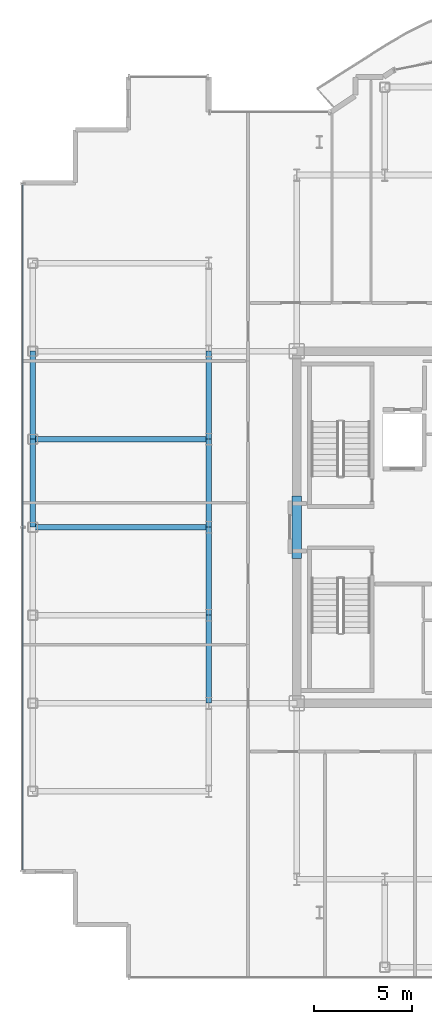
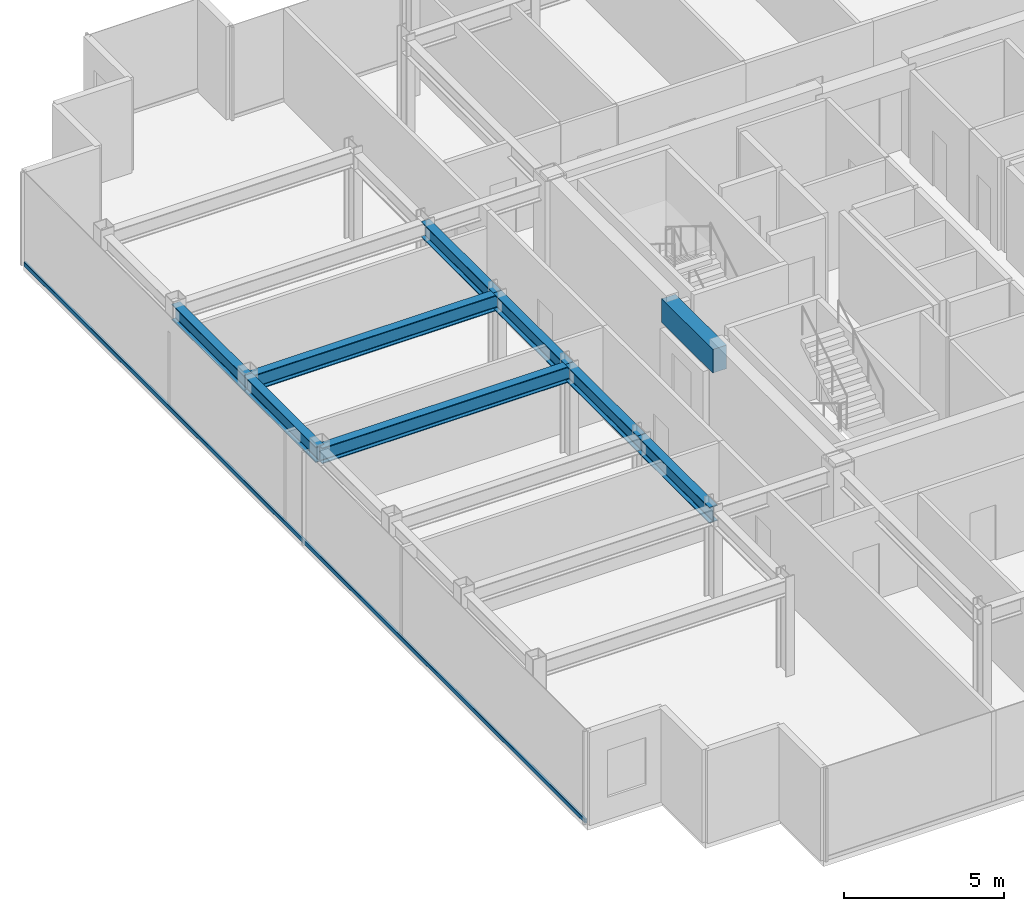
# One storey, part 5 of 18: 9 beams, 1 member, 1 element without a shape of its own.
"""IFC4 building model written with IfcOpenShell, lengths in metres."""

from ifc_helpers import new_model, si_unit, direction, frame, origin, origin_2d, place, context, subcontext, project, spatial, rectangle, hollow_rectangle, i_section, extrude, source, transform, mapped, material, layer, layer_set, material_profile, profile_set, type_object, element, aggregate, save


model = new_model("IFC4")

# Units and contexts
model_context = context("Model", 3, precision=1e-05, world=origin(), true_north=direction((0.0, 1.0)))
body_context = subcontext(model_context, "Body", "Model", "MODEL_VIEW")
ifc_project = project(units=[si_unit("LENGTHUNIT", "METRE"), si_unit("AREAUNIT", "SQUARE_METRE"), si_unit("VOLUMEUNIT", "CUBIC_METRE"), si_unit("PLANEANGLEUNIT", "RADIAN"), si_unit("MASSUNIT", "GRAM", prefix="KILO")], contexts=[model_context])

# Site, building, storey
site_placement = place(None, origin())
site = spatial("IfcSite", under=ifc_project, at=site_placement, CompositionType="ELEMENT")
building_placement = place(site_placement, origin())
building = spatial("IfcBuilding", under=site, at=building_placement, Name="Nefas-Gora Pilgrimage Tower", CompositionType="ELEMENT")
storey_placement = place(building_placement, frame((0.0, 0.0, 295.0)))
storey = spatial("IfcBuildingStorey", under=building, at=storey_placement, Name="L74", CompositionType="ELEMENT", Elevation=295.0)

# Beams
ifc_material_1 = material(Name="Concrete C50/60", Category="concrete")
ifc_material_profile_1 = material_profile(ifc_material_1, rectangle(XDim=0.5, YDim=0.89990234375, at=origin_2d()), Name="RC 500x900")
ifc_profile_set_1 = profile_set([ifc_material_profile_1], Name="Concrete C50/60")
beam_type_1 = type_object("IfcBeamType", Name="BM-LIN-RC900", PredefinedType="LINTEL", material=ifc_profile_set_1)
shared_shape_1 = source(origin(), body_context, "Body", "SweptSolid", [
    extrude(rectangle(XDim=0.5, YDim=0.89990234375, at=origin_2d()), origin(), (0.0, 0.0, 1.0), 3.2001953125),
])
beam_placement = place(storey_placement, frame((-11.25, -1.60009765625, 3.10009765625), z_axis=(0.0, 1.0, 0.0), x_axis=(-1.0, 0.0, 0.0)))
element("IfcBeam", 1, at=beam_placement, inside=storey, type_object=beam_type_1, Name="L74 Core Coupling Lintel Beam W", PredefinedType="LINTEL", context=body_context, shape_type="MappedRepresentation", body=[
    mapped(shared_shape_1, transform((0.0, 0.0, 0.0), x_axis=(1.0, 0.0, 0.0), y_axis=(0.0, 1.0, 0.0), z_axis=(0.0, 0.0, 1.0), scale=1.0)),
])
ifc_material_2 = material(Name="Steel S355", Category="steel")
ifc_material_profile_2 = material_profile(ifc_material_2, i_section(OverallWidth=0.300048828125, OverallDepth=0.60009765625, WebThickness=0.015380859375, FlangeThickness=0.030029296875, FilletRadius=0.027099609375, at=origin_2d()), Name="HEB 600")
ifc_profile_set_2 = profile_set([ifc_material_profile_2], Name="Steel S355")
beam_type_2 = type_object("IfcBeamType", Name="BM-SPN-HEB450", PredefinedType="SPANDREL", material=ifc_profile_set_2)
shared_shape_2 = source(origin(), body_context, "Body", "SweptSolid", [
    extrude(i_section(OverallWidth=0.300048828125, OverallDepth=0.60009765625, WebThickness=0.015380859375, FlangeThickness=0.030029296875, FilletRadius=0.027099609375, at=origin_2d()), origin(), (0.0, 0.0, 1.0), 4.5),
])
for number, where, z_axis, x_axis, name in (
    (2, (-24.75, 0.0, 3.25), (0.0, 1.0, 0.0), (-1.0, 0.0, 0.0), "L74 SP-03 beam"),
    (3, (-24.75, 4.5, 3.25), (0.0, 1.0, 0.0), (-1.0, 0.0, 0.0), "L74 SP-03 beam"),
):
    element("IfcBeam", number, at=place(storey_placement, frame(where, z_axis=z_axis, x_axis=x_axis)), inside=storey, type_object=beam_type_2, Name=name, PredefinedType="SPANDREL", context=body_context, shape_type="MappedRepresentation", body=[
        mapped(shared_shape_2, transform((0.0, 0.0, 0.0), x_axis=(1.0, 0.0, 0.0), y_axis=(0.0, 1.0, 0.0), z_axis=(0.0, 0.0, 1.0), scale=1.0)),
    ])
ifc_material_profile_3 = material_profile(ifc_material_2, i_section(OverallWidth=0.300048828125, OverallDepth=0.60009765625, WebThickness=0.015380859375, FlangeThickness=0.030029296875, FilletRadius=0.027099609375, at=origin_2d()), Name="HEB 600")
ifc_profile_set_3 = profile_set([ifc_material_profile_3], Name="Steel S355")
beam_type_3 = type_object("IfcBeamType", Name="BM-GIR-HEB600", PredefinedType="BEAM", material=ifc_profile_set_3)
shared_shape_3 = source(origin(), body_context, "Body", "SweptSolid", [
    extrude(i_section(OverallWidth=0.300048828125, OverallDepth=0.60009765625, WebThickness=0.015380859375, FlangeThickness=0.030029296875, FilletRadius=0.027099609375, at=origin_2d()), origin(), (0.0, 0.0, 1.0), 9.0),
])
for number, where, z_axis, x_axis, name in (
    (4, (-24.75, 0.0, 3.25), (1.0, 0.0, 0.0), (0.0, 1.0, 0.0), "L74 G-04 beam"),
    (5, (-24.75, 4.5, 3.25), (1.0, 0.0, 0.0), (0.0, 1.0, 0.0), "L74 G-04 beam"),
):
    element("IfcBeam", number, at=place(storey_placement, frame(where, z_axis=z_axis, x_axis=x_axis)), inside=storey, type_object=beam_type_3, Name=name, PredefinedType="BEAM", context=body_context, shape_type="MappedRepresentation", body=[
        mapped(shared_shape_3, transform((0.0, 0.0, 0.0), x_axis=(1.0, 0.0, 0.0), y_axis=(0.0, 1.0, 0.0), z_axis=(0.0, 0.0, 1.0), scale=1.0)),
    ])
shared_shape_4 = source(origin(), body_context, "Body", "SweptSolid", [
    extrude(i_section(OverallWidth=0.300048828125, OverallDepth=0.60009765625, WebThickness=0.015380859375, FlangeThickness=0.030029296875, FilletRadius=0.027099609375, at=origin_2d()), origin(), (0.0, 0.0, 1.0), 4.5),
])
for number, where, z_axis, x_axis, name in (
    (6, (-15.75, -9.0, 3.25), (0.0, 1.0, 0.0), (-1.0, 0.0, 0.0), "L74 G-04 beam"),
    (7, (-15.75, -4.5, 3.25), (0.0, 1.0, 0.0), (-1.0, 0.0, 0.0), "L74 G-04 beam"),
    (8, (-15.75, 0.0, 3.25), (0.0, 1.0, 0.0), (-1.0, 0.0, 0.0), "L74 G-04 beam"),
    (9, (-15.75, 4.5, 3.25), (0.0, 1.0, 0.0), (-1.0, 0.0, 0.0), "L74 G-04 beam"),
):
    element("IfcBeam", number, at=place(storey_placement, frame(where, z_axis=z_axis, x_axis=x_axis)), inside=storey, type_object=beam_type_3, Name=name, PredefinedType="BEAM", context=body_context, shape_type="MappedRepresentation", body=[
        mapped(shared_shape_4, transform((0.0, 0.0, 0.0), x_axis=(1.0, 0.0, 0.0), y_axis=(0.0, 1.0, 0.0), z_axis=(0.0, 0.0, 1.0), scale=1.0)),
    ])

# Curtain wall, member
ifc_material_3 = material(Name="Dark ceramic-fritted solar-control aluminium-glass curtain wall", Category="aluminium")
ifc_layer = layer(ifc_material_3, 0.219970703125)
ifc_layer_set = layer_set([ifc_layer], Name="Dark ceramic-fritted solar-control aluminium-glass curtain wall")
curtain_wall_type = type_object("IfcCurtainWallType", Name="CW-SYS-4", PredefinedType="NOTDEFINED", material=ifc_layer_set)
curtain_wall_placement = place(storey_placement, origin())
curtain_wall = element("IfcCurtainWall", 10, at=curtain_wall_placement, inside=storey, type_object=curtain_wall_type, Name="L74 Unitised Curtain Wall CW4", PredefinedType="NOTDEFINED")
ifc_material_4 = material(Name="Anodised architectural aluminium", Category="aluminium")
ifc_material_profile_4 = material_profile(ifc_material_4, hollow_rectangle(XDim=0.080078125, YDim=0.159912109375, WallThickness=0.00439453125, InnerFilletRadius=0.00439453125, OuterFilletRadius=0.009033203125, at=origin_2d()), Name="ALU TRANSOM 80x160")
ifc_profile_set_4 = profile_set([ifc_material_profile_4], Name="Anodised architectural aluminium")
member_type = type_object("IfcMemberType", Name="CWM-TRN-4", PredefinedType="USERDEFINED", material=ifc_profile_set_4)
shared_shape_5 = source(origin(), body_context, "Body", "SweptSolid", [
    extrude(hollow_rectangle(XDim=0.080078125, YDim=0.159912109375, WallThickness=0.00439453125, InnerFilletRadius=0.00439453125, OuterFilletRadius=0.009033203125, at=origin_2d()), origin(), (0.0, 0.0, 1.0), 35.06005859375),
])
member_placement = place(storey_placement, frame((-25.27001953125, 17.530029296875, 0.050048828125), z_axis=(0.0, -1.0, 0.0), x_axis=(1.0, 0.0, 0.0)))
member = element("IfcMember", 11, at=member_placement, type_object=member_type, Name="CW4 Spandrel Transom", ObjectType="TRANSOM", PredefinedType="USERDEFINED", context=body_context, shape_type="MappedRepresentation", body=[
    mapped(shared_shape_5, transform((0.0, 0.0, 0.0), x_axis=(1.0, 0.0, 0.0), y_axis=(0.0, 1.0, 0.0), z_axis=(0.0, 0.0, 1.0), scale=1.0)),
])
aggregate(curtain_wall, [member])

save(model, "model.ifc")
